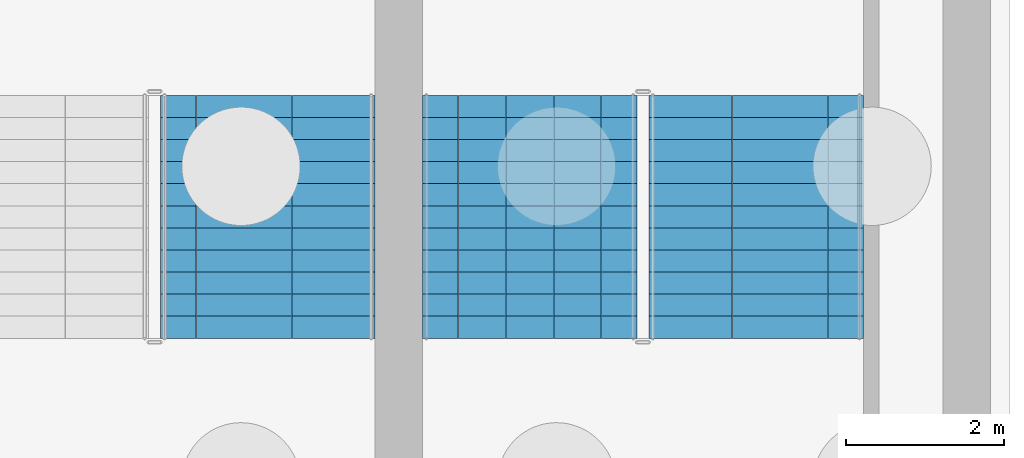
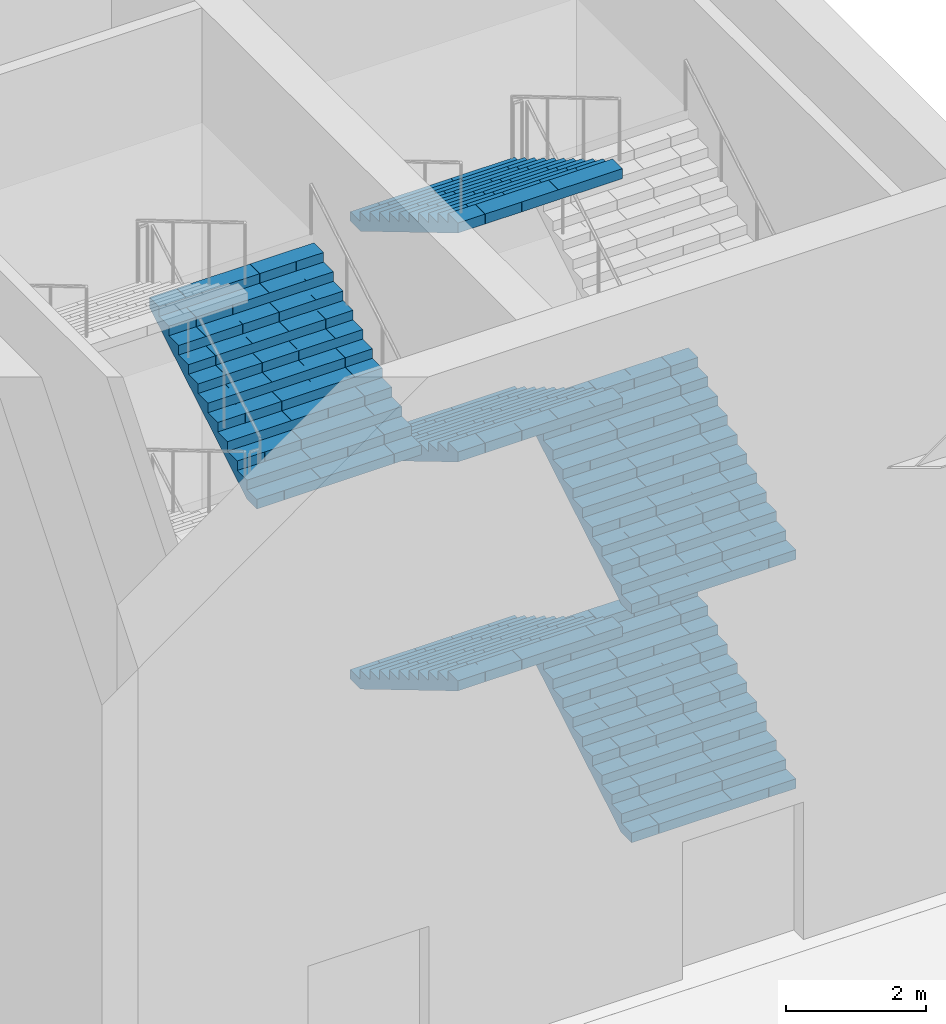
# One storey, part 25 of 34: 6 stair flights, 2 elements without a shape of their own.
"""IFC4 building model written with IfcOpenShell, lengths in metres."""

import ifcopenshell
import ifcopenshell.guid

model = None  # the IFC model being written
_history = None  # IfcOwnerHistory: only IFC2X3 demands one
_inside = {}  # id of a spatial element -> (the spatial element, [elements in it])
_under = {}  # id of a project, library or spatial element -> (it, [spatial elements below it])
_declared = {}  # id of a project -> (the project, [libraries it declares])
_typed = {}  # id of a type object -> (the type object, [elements of that type])
_made_of = {}  # id of a material, layer set ... -> (it, [elements and type objects made of it])


def new_model(schema):
    """Start an empty IFC model of exactly this schema.

    Asked for "IFC4X3", IfcOpenShell would pick the latest addendum, in which some entities
    have other attributes; the version numbers below select the first issue.
    IFC2X3 requires an IfcOwnerHistory on every rooted entity: one is made here for all.
    """
    global model, _history
    if schema == "IFC4X3":
        model = ifcopenshell.file(schema_version=(4, 3, 0, 0))
    else:
        model = ifcopenshell.file(schema=schema)
    _inside.clear()
    _under.clear()
    _declared.clear()
    _typed.clear()
    _made_of.clear()
    _history = None
    if model.schema == "IFC2X3":
        org = make("IfcOrganization", Name="unknown")
        user = make(
            "IfcPersonAndOrganization",
            ThePerson=make("IfcPerson", FamilyName="unknown"),
            TheOrganization=org,
        )
        app = make(
            "IfcApplication",
            ApplicationDeveloper=org,
            Version="unknown",
            ApplicationFullName="unknown",
            ApplicationIdentifier="unknown",
        )
        _history = make(
            "IfcOwnerHistory",
            OwningUser=user,
            OwningApplication=app,
            ChangeAction="ADDED",
            CreationDate=0,
        )
    return model


def make(cls, **values):
    """One entity of the class cls with the attributes given. An attribute that is None is left unset."""
    return model.create_entity(
        cls, **{name: value for name, value in values.items() if value is not None}
    )


def rooted(cls, **values):
    """An entity with a GlobalId (a new one), such as an element, a storey or a relation."""
    return make(cls, GlobalId=ifcopenshell.guid.new(), OwnerHistory=_history, **values)


def si_unit(unit_type, name, prefix=None):
    """IfcSIUnit, for example si_unit("LENGTHUNIT", "METRE", prefix="MILLI")."""
    return make("IfcSIUnit", UnitType=unit_type, Prefix=prefix, Name=name)


def assignment(units):
    """IfcUnitAssignment: the units of a project."""
    return None if units is None else make("IfcUnitAssignment", Units=units)


def point(xyz):
    """IfcCartesianPoint."""
    return None if xyz is None else make("IfcCartesianPoint", Coordinates=xyz)


def direction(xyz):
    """IfcDirection."""
    return None if xyz is None else make("IfcDirection", DirectionRatios=xyz)


def frame(location, z_axis=None, x_axis=None):
    """IfcAxis2Placement3D, a coordinate frame: its origin and axes. An axis left out is left unset."""
    return make(
        "IfcAxis2Placement3D",
        Location=point(location),
        Axis=direction(z_axis),
        RefDirection=direction(x_axis),
    )


def origin():
    """The frame at (0, 0, 0) with its axes left unset."""
    return frame((0.0, 0.0, 0.0))


def place(relative_to, where):
    """IfcLocalPlacement: puts the frame where relative to a parent placement (None: the world)."""
    return make(
        "IfcLocalPlacement", PlacementRelTo=relative_to, RelativePlacement=where
    )


def context(
    kind, dimensions, precision=None, world=None, true_north=None, identifier=None
):
    """IfcGeometricRepresentationContext, for example the 3D "Model" context."""
    return make(
        "IfcGeometricRepresentationContext",
        ContextIdentifier=identifier,
        ContextType=kind,
        CoordinateSpaceDimension=dimensions,
        Precision=precision,
        WorldCoordinateSystem=world,
        TrueNorth=true_north,
    )


def subcontext(parent, identifier, kind, view, scale=None):
    """IfcGeometricRepresentationSubContext, for example "Body" below "Model"."""
    return make(
        "IfcGeometricRepresentationSubContext",
        ContextIdentifier=identifier,
        ContextType=kind,
        ParentContext=parent,
        TargetScale=scale,
        TargetView=view,
    )


def project(units=None, contexts=None):
    """IfcProject with its units and contexts."""
    return rooted(
        "IfcProject",
        Name="project",
        RepresentationContexts=contexts,
        UnitsInContext=assignment(units),
    )


def spatial(cls, under=None, at=None, **own):
    """A site, building, storey or space (cls), placed at a placement, below another one or the project."""
    s = rooted(cls, ObjectPlacement=at, **own)
    if under is not None:
        _under.setdefault(under.id(), (under, []))[1].append(s)
    return s


def polyline(points):
    """IfcPolyline through the points."""
    return make("IfcPolyline", Points=[point(p) for p in points])


def outline(outer, holes=None, kind="AREA"):
    """IfcArbitraryClosedProfileDef: a profile drawn as a closed curve; with holes, ...WithVoids."""
    if holes is None:
        return make("IfcArbitraryClosedProfileDef", ProfileType=kind, OuterCurve=outer)
    return make(
        "IfcArbitraryProfileDefWithVoids",
        ProfileType=kind,
        OuterCurve=outer,
        InnerCurves=holes,
    )


def extrude(swept, where, along, depth):
    """IfcExtrudedAreaSolid: the profile swept, set in the frame where, extruded along a direction by depth."""
    return make(
        "IfcExtrudedAreaSolid",
        SweptArea=swept,
        Position=where,
        ExtrudedDirection=direction(along),
        Depth=depth,
    )


def shape(context_of_items, identifier, shape_type, items):
    """IfcShapeRepresentation: the items that make up one representation, for example the "Body"."""
    return make(
        "IfcShapeRepresentation",
        ContextOfItems=context_of_items,
        RepresentationIdentifier=identifier,
        RepresentationType=shape_type,
        Items=items,
    )


def material(Name=None, Category=None):
    """IfcMaterial."""
    return make("IfcMaterial", Name=Name, Category=Category)


def made_of(thing, what):
    """Note that an element or type object is made of a material, layer set ...; save() writes the relation."""
    if what is not None:
        _made_of.setdefault(what.id(), (what, []))[1].append(thing)
    return thing


def type_object(cls, material=None, **own):
    """A type object (cls), such as IfcWallType, which elements share."""
    return made_of(rooted(cls, **own), material)


def element(
    cls,
    number,
    at=None,
    inside=None,
    cuts=None,
    type_object=None,
    material=None,
    context=None,
    identifier="Body",
    shape_type=None,
    held_by="IfcProductDefinitionShape",
    body=None,
    shapes=None,
    **own,
):
    """One element of the class cls, such as IfcWall. Its Tag is "e" and its number.

    at: its placement. inside: the storey or other place that contains it. cuts: it is an
    opening in that element (IfcRelVoidsElement). A single representation is given by context,
    identifier, shape_type and body (its items); several are given by shapes. held_by: the class
    of the entity that holds the representations. save() writes the other relations.
    """
    e = rooted(cls, Tag="e%d" % number, ObjectPlacement=at, **own)
    if body is not None:
        shapes = [shape(context, identifier, shape_type, body)]
    if shapes is not None:
        e.Representation = make(held_by, Representations=shapes)
    if inside is not None:
        _inside.setdefault(inside.id(), (inside, []))[1].append(e)
    if cuts is not None:
        rooted(
            "IfcRelVoidsElement", RelatingBuildingElement=cuts, RelatedOpeningElement=e
        )
    if type_object is not None:
        _typed.setdefault(type_object.id(), (type_object, []))[1].append(e)
    return made_of(e, material)


def aggregate(whole, parts):
    """IfcRelAggregates: a whole, such as a stair, and the parts it consists of."""
    return rooted("IfcRelAggregates", RelatingObject=whole, RelatedObjects=parts)


def save(model, path):
    """Write the relations noted so far, then the file.

    IfcRelAggregates (storeys below a building ...), IfcRelContainedInSpatialStructure (elements
    in a storey), IfcRelDefinesByType, IfcRelAssociatesMaterial and IfcRelDeclares: one each for
    every whole, place, type object, material and project.
    """
    for whole, parts in _under.values():
        aggregate(whole, parts)
    for where, things in _inside.values():
        rooted(
            "IfcRelContainedInSpatialStructure",
            RelatedElements=things,
            RelatingStructure=where,
        )
    for kind, things in _typed.values():
        rooted("IfcRelDefinesByType", RelatedObjects=things, RelatingType=kind)
    for what, things in _made_of.values():
        rooted("IfcRelAssociatesMaterial", RelatedObjects=things, RelatingMaterial=what)
    for by, libraries in _declared.values():
        rooted("IfcRelDeclares", RelatingContext=by, RelatedDefinitions=libraries)
    model.write(path)


model = new_model("IFC4")

# Units and contexts
model_context = context("Model", 3, precision=1e-05, world=origin(), true_north=direction((0.0, 1.0)))
body_context = subcontext(model_context, "Body", "Model", "MODEL_VIEW")
ifc_project = project(units=[si_unit("LENGTHUNIT", "METRE"), si_unit("AREAUNIT", "SQUARE_METRE"), si_unit("VOLUMEUNIT", "CUBIC_METRE"), si_unit("PLANEANGLEUNIT", "RADIAN"), si_unit("MASSUNIT", "GRAM", prefix="KILO")], contexts=[model_context])

# Site, building, storey
site_placement = place(None, origin())
site = spatial("IfcSite", under=ifc_project, at=site_placement, CompositionType="ELEMENT")
building_placement = place(site_placement, origin())
building = spatial("IfcBuilding", under=site, at=building_placement, Name="Corbelhall Arena Tower", CompositionType="ELEMENT")
storey_placement = place(building_placement, origin())
storey = spatial("IfcBuildingStorey", under=building, at=storey_placement, Name="L00", CompositionType="ELEMENT", Elevation=0.0)

# Stair, stair flight
ifc_material = material(Name="Reinforced concrete C40/50", Category="concrete")
stair_type = type_object("IfcStairType", Name="AR-EXIT-STAIR", PredefinedType="HALF_TURN_STAIR", material=ifc_material)
stair_1_placement = place(storey_placement, origin())
stair_1 = element("IfcStair", 1, at=stair_1_placement, inside=storey, type_object=stair_type, Name="L00 exit stair AS1", PredefinedType="HALF_TURN_STAIR")
stair_flight_type = type_object("IfcStairFlightType", Name="AR-EXIT-FLIGHT", PredefinedType="STRAIGHT", material=ifc_material)
stair_flight_1_placement = place(storey_placement, frame((38.840087890625, 27.320068359375, 8.0), z_axis=(0.0, 0.0, 1.0), x_axis=(0.0, 1.0, 0.0)))
stair_flight_1 = element("IfcStairFlight", 2, at=stair_flight_1_placement, type_object=stair_flight_type, Name="AS1 flight 5", NumberOfRisers=12, NumberOfTreads=11, PredefinedType="STRAIGHT", RiserHeight=0.166666667, TreadLength=0.28, context=body_context, shape_type="SweptSolid", body=[
    extrude(outline(polyline([(0.0, 0.0), (0.0, 0.166748046875), (0.280029296875, 0.166748046875), (0.280029296875, 0.333251953125), (0.56005859375, 0.333251953125), (0.56005859375, 0.5), (0.840087890625, 0.5), (0.840087890625, 0.666748046875), (1.1201171875, 0.666748046875), (1.1201171875, 0.833251953125), (1.39990234375, 0.833251953125), (1.39990234375, 1.0), (1.679931640625, 1.0), (1.679931640625, 1.166748046875), (1.9599609375, 1.166748046875), (1.9599609375, 1.333251953125), (2.239990234375, 1.333251953125), (2.239990234375, 1.5), (2.52001953125, 1.5), (2.52001953125, 1.666748046875), (2.800048828125, 1.666748046875), (2.800048828125, 1.833251953125), (3.080078125, 1.833251953125), (3.080078125, 2.0), (3.080078125, 1.658935546875), (0.29296875, 0.0), (0.0, 0.0)])), frame((0.0, 1.35986328125, 0.0), z_axis=(0.0, -1.0, 0.0), x_axis=(1.0, 0.0, 0.0)), (0.0, 0.0, 1.0), 0.449951171875),
    extrude(outline(polyline([(0.0, 0.0), (0.0, 0.166748046875), (0.280029296875, 0.166748046875), (0.280029296875, 0.333251953125), (0.56005859375, 0.333251953125), (0.56005859375, 0.5), (0.840087890625, 0.5), (0.840087890625, 0.666748046875), (1.1201171875, 0.666748046875), (1.1201171875, 0.833251953125), (1.39990234375, 0.833251953125), (1.39990234375, 1.0), (1.679931640625, 1.0), (1.679931640625, 1.166748046875), (1.9599609375, 1.166748046875), (1.9599609375, 1.333251953125), (2.239990234375, 1.333251953125), (2.239990234375, 1.5), (2.52001953125, 1.5), (2.52001953125, 1.666748046875), (2.800048828125, 1.666748046875), (2.800048828125, 1.833251953125), (3.080078125, 1.833251953125), (3.080078125, 2.0), (3.080078125, 1.658935546875), (0.29296875, 0.0), (0.0, 0.0)])), frame((0.0, 0.906005859375, 0.0), z_axis=(0.0, -1.0, 0.0), x_axis=(1.0, 0.0, 0.0)), (0.0, 0.0, 1.0), 0.601318359375),
    extrude(outline(polyline([(0.0, 0.0), (0.0, 0.166748046875), (0.280029296875, 0.166748046875), (0.280029296875, 0.333251953125), (0.56005859375, 0.333251953125), (0.56005859375, 0.5), (0.840087890625, 0.5), (0.840087890625, 0.666748046875), (1.1201171875, 0.666748046875), (1.1201171875, 0.833251953125), (1.39990234375, 0.833251953125), (1.39990234375, 1.0), (1.679931640625, 1.0), (1.679931640625, 1.166748046875), (1.9599609375, 1.166748046875), (1.9599609375, 1.333251953125), (2.239990234375, 1.333251953125), (2.239990234375, 1.5), (2.52001953125, 1.5), (2.52001953125, 1.666748046875), (2.800048828125, 1.666748046875), (2.800048828125, 1.833251953125), (3.080078125, 1.833251953125), (3.080078125, 2.0), (3.080078125, 1.658935546875), (0.29296875, 0.0), (0.0, 0.0)])), frame((0.0, 0.30078125, 0.0), z_axis=(0.0, -1.0, 0.0), x_axis=(1.0, 0.0, 0.0)), (0.0, 0.0, 1.0), 0.601318359375),
    extrude(outline(polyline([(0.0, 0.0), (0.0, 0.166748046875), (0.280029296875, 0.166748046875), (0.280029296875, 0.333251953125), (0.56005859375, 0.333251953125), (0.56005859375, 0.5), (0.840087890625, 0.5), (0.840087890625, 0.666748046875), (1.1201171875, 0.666748046875), (1.1201171875, 0.833251953125), (1.39990234375, 0.833251953125), (1.39990234375, 1.0), (1.679931640625, 1.0), (1.679931640625, 1.166748046875), (1.9599609375, 1.166748046875), (1.9599609375, 1.333251953125), (2.239990234375, 1.333251953125), (2.239990234375, 1.5), (2.52001953125, 1.5), (2.52001953125, 1.666748046875), (2.800048828125, 1.666748046875), (2.800048828125, 1.833251953125), (3.080078125, 1.833251953125), (3.080078125, 2.0), (3.080078125, 1.658935546875), (0.29296875, 0.0), (0.0, 0.0)])), frame((0.0, -0.3046875, 0.0), z_axis=(0.0, -1.0, 0.0), x_axis=(1.0, 0.0, 0.0)), (0.0, 0.0, 1.0), 0.601318359375),
    extrude(outline(polyline([(0.0, 0.0), (0.0, 0.166748046875), (0.280029296875, 0.166748046875), (0.280029296875, 0.333251953125), (0.56005859375, 0.333251953125), (0.56005859375, 0.5), (0.840087890625, 0.5), (0.840087890625, 0.666748046875), (1.1201171875, 0.666748046875), (1.1201171875, 0.833251953125), (1.39990234375, 0.833251953125), (1.39990234375, 1.0), (1.679931640625, 1.0), (1.679931640625, 1.166748046875), (1.9599609375, 1.166748046875), (1.9599609375, 1.333251953125), (2.239990234375, 1.333251953125), (2.239990234375, 1.5), (2.52001953125, 1.5), (2.52001953125, 1.666748046875), (2.800048828125, 1.666748046875), (2.800048828125, 1.833251953125), (3.080078125, 1.833251953125), (3.080078125, 2.0), (3.080078125, 1.658935546875), (0.29296875, 0.0), (0.0, 0.0)])), frame((0.0, -0.909912109375, 0.0), z_axis=(0.0, -1.0, 0.0), x_axis=(1.0, 0.0, 0.0)), (0.0, 0.0, 1.0), 0.449951171875),
])
aggregate(stair_1, [stair_flight_1])

# Stair, stair flights
stair_2_placement = place(storey_placement, origin())
stair_2 = element("IfcStair", 3, at=stair_2_placement, inside=storey, type_object=stair_type, Name="L00 exit stair AS2", PredefinedType="HALF_TURN_STAIR")
stair_flight_2_placement = place(storey_placement, frame((45.030029296875, 27.320068359375, 0.0), z_axis=(0.0, 0.0, 1.0), x_axis=(0.0, 1.0, 0.0)))
stair_flight_2 = element("IfcStairFlight", 4, at=stair_flight_2_placement, type_object=stair_flight_type, Name="AS2 flight 1", NumberOfRisers=12, NumberOfTreads=11, PredefinedType="STRAIGHT", RiserHeight=0.166666667, TreadLength=0.28, context=body_context, shape_type="SweptSolid", body=[
    extrude(outline(polyline([(0.0, 0.0), (0.0, 0.166748046875), (0.280029296875, 0.166748046875), (0.280029296875, 0.333251953125), (0.56005859375, 0.333251953125), (0.56005859375, 0.5), (0.840087890625, 0.5), (0.840087890625, 0.666748046875), (1.1201171875, 0.666748046875), (1.1201171875, 0.833251953125), (1.39990234375, 0.833251953125), (1.39990234375, 1.0), (1.679931640625, 1.0), (1.679931640625, 1.166748046875), (1.9599609375, 1.166748046875), (1.9599609375, 1.333251953125), (2.239990234375, 1.333251953125), (2.239990234375, 1.5), (2.52001953125, 1.5), (2.52001953125, 1.666748046875), (2.800048828125, 1.666748046875), (2.800048828125, 1.833251953125), (3.080078125, 1.833251953125), (3.080078125, 2.0), (3.080078125, 1.658935546875), (0.29296875, 0.0), (0.0, 0.0)])), frame((0.0, 1.35986328125, 0.0), z_axis=(0.0, -1.0, 0.0), x_axis=(1.0, 0.0, 0.0)), (0.0, 0.0, 1.0), 0.449951171875),
    extrude(outline(polyline([(0.0, 0.0), (0.0, 0.166748046875), (0.280029296875, 0.166748046875), (0.280029296875, 0.333251953125), (0.56005859375, 0.333251953125), (0.56005859375, 0.5), (0.840087890625, 0.5), (0.840087890625, 0.666748046875), (1.1201171875, 0.666748046875), (1.1201171875, 0.833251953125), (1.39990234375, 0.833251953125), (1.39990234375, 1.0), (1.679931640625, 1.0), (1.679931640625, 1.166748046875), (1.9599609375, 1.166748046875), (1.9599609375, 1.333251953125), (2.239990234375, 1.333251953125), (2.239990234375, 1.5), (2.52001953125, 1.5), (2.52001953125, 1.666748046875), (2.800048828125, 1.666748046875), (2.800048828125, 1.833251953125), (3.080078125, 1.833251953125), (3.080078125, 2.0), (3.080078125, 1.658935546875), (0.29296875, 0.0), (0.0, 0.0)])), frame((0.0, 0.906005859375, 0.0), z_axis=(0.0, -1.0, 0.0), x_axis=(1.0, 0.0, 0.0)), (0.0, 0.0, 1.0), 0.601318359375),
    extrude(outline(polyline([(0.0, 0.0), (0.0, 0.166748046875), (0.280029296875, 0.166748046875), (0.280029296875, 0.333251953125), (0.56005859375, 0.333251953125), (0.56005859375, 0.5), (0.840087890625, 0.5), (0.840087890625, 0.666748046875), (1.1201171875, 0.666748046875), (1.1201171875, 0.833251953125), (1.39990234375, 0.833251953125), (1.39990234375, 1.0), (1.679931640625, 1.0), (1.679931640625, 1.166748046875), (1.9599609375, 1.166748046875), (1.9599609375, 1.333251953125), (2.239990234375, 1.333251953125), (2.239990234375, 1.5), (2.52001953125, 1.5), (2.52001953125, 1.666748046875), (2.800048828125, 1.666748046875), (2.800048828125, 1.833251953125), (3.080078125, 1.833251953125), (3.080078125, 2.0), (3.080078125, 1.658935546875), (0.29296875, 0.0), (0.0, 0.0)])), frame((0.0, 0.30078125, 0.0), z_axis=(0.0, -1.0, 0.0), x_axis=(1.0, 0.0, 0.0)), (0.0, 0.0, 1.0), 0.601318359375),
    extrude(outline(polyline([(0.0, 0.0), (0.0, 0.166748046875), (0.280029296875, 0.166748046875), (0.280029296875, 0.333251953125), (0.56005859375, 0.333251953125), (0.56005859375, 0.5), (0.840087890625, 0.5), (0.840087890625, 0.666748046875), (1.1201171875, 0.666748046875), (1.1201171875, 0.833251953125), (1.39990234375, 0.833251953125), (1.39990234375, 1.0), (1.679931640625, 1.0), (1.679931640625, 1.166748046875), (1.9599609375, 1.166748046875), (1.9599609375, 1.333251953125), (2.239990234375, 1.333251953125), (2.239990234375, 1.5), (2.52001953125, 1.5), (2.52001953125, 1.666748046875), (2.800048828125, 1.666748046875), (2.800048828125, 1.833251953125), (3.080078125, 1.833251953125), (3.080078125, 2.0), (3.080078125, 1.658935546875), (0.29296875, 0.0), (0.0, 0.0)])), frame((0.0, -0.3046875, 0.0), z_axis=(0.0, -1.0, 0.0), x_axis=(1.0, 0.0, 0.0)), (0.0, 0.0, 1.0), 0.601318359375),
    extrude(outline(polyline([(0.0, 0.0), (0.0, 0.166748046875), (0.280029296875, 0.166748046875), (0.280029296875, 0.333251953125), (0.56005859375, 0.333251953125), (0.56005859375, 0.5), (0.840087890625, 0.5), (0.840087890625, 0.666748046875), (1.1201171875, 0.666748046875), (1.1201171875, 0.833251953125), (1.39990234375, 0.833251953125), (1.39990234375, 1.0), (1.679931640625, 1.0), (1.679931640625, 1.166748046875), (1.9599609375, 1.166748046875), (1.9599609375, 1.333251953125), (2.239990234375, 1.333251953125), (2.239990234375, 1.5), (2.52001953125, 1.5), (2.52001953125, 1.666748046875), (2.800048828125, 1.666748046875), (2.800048828125, 1.833251953125), (3.080078125, 1.833251953125), (3.080078125, 2.0), (3.080078125, 1.658935546875), (0.29296875, 0.0), (0.0, 0.0)])), frame((0.0, -0.909912109375, 0.0), z_axis=(0.0, -1.0, 0.0), x_axis=(1.0, 0.0, 0.0)), (0.0, 0.0, 1.0), 0.449951171875),
])
stair_flight_3_placement = place(storey_placement, frame((42.159912109375, 30.39990234375, 2.0), z_axis=(0.0, 0.0, 1.0), x_axis=(0.0, -1.0, 0.0)))
stair_flight_3 = element("IfcStairFlight", 5, at=stair_flight_3_placement, type_object=stair_flight_type, Name="AS2 flight 2", NumberOfRisers=12, NumberOfTreads=11, PredefinedType="STRAIGHT", RiserHeight=0.166666667, TreadLength=0.28, context=body_context, shape_type="SweptSolid", body=[
    extrude(outline(polyline([(0.0, 0.0), (0.0, 0.166748046875), (0.280029296875, 0.166748046875), (0.280029296875, 0.333251953125), (0.56005859375, 0.333251953125), (0.56005859375, 0.5), (0.840087890625, 0.5), (0.840087890625, 0.666748046875), (1.1201171875, 0.666748046875), (1.1201171875, 0.833251953125), (1.39990234375, 0.833251953125), (1.39990234375, 1.0), (1.679931640625, 1.0), (1.679931640625, 1.166748046875), (1.9599609375, 1.166748046875), (1.9599609375, 1.333251953125), (2.239990234375, 1.333251953125), (2.239990234375, 1.5), (2.52001953125, 1.5), (2.52001953125, 1.666748046875), (2.800048828125, 1.666748046875), (2.800048828125, 1.833251953125), (3.080078125, 1.833251953125), (3.080078125, 2.0), (3.080078125, 1.658935546875), (0.29296875, 0.0), (0.0, 0.0)])), frame((0.0, 1.35986328125, 0.0), z_axis=(0.0, -1.0, 0.0), x_axis=(1.0, 0.0, 0.0)), (0.0, 0.0, 1.0), 0.449951171875),
    extrude(outline(polyline([(0.0, 0.0), (0.0, 0.166748046875), (0.280029296875, 0.166748046875), (0.280029296875, 0.333251953125), (0.56005859375, 0.333251953125), (0.56005859375, 0.5), (0.840087890625, 0.5), (0.840087890625, 0.666748046875), (1.1201171875, 0.666748046875), (1.1201171875, 0.833251953125), (1.39990234375, 0.833251953125), (1.39990234375, 1.0), (1.679931640625, 1.0), (1.679931640625, 1.166748046875), (1.9599609375, 1.166748046875), (1.9599609375, 1.333251953125), (2.239990234375, 1.333251953125), (2.239990234375, 1.5), (2.52001953125, 1.5), (2.52001953125, 1.666748046875), (2.800048828125, 1.666748046875), (2.800048828125, 1.833251953125), (3.080078125, 1.833251953125), (3.080078125, 2.0), (3.080078125, 1.658935546875), (0.29296875, 0.0), (0.0, 0.0)])), frame((0.0, 0.906005859375, 0.0), z_axis=(0.0, -1.0, 0.0), x_axis=(1.0, 0.0, 0.0)), (0.0, 0.0, 1.0), 0.601318359375),
    extrude(outline(polyline([(0.0, 0.0), (0.0, 0.166748046875), (0.280029296875, 0.166748046875), (0.280029296875, 0.333251953125), (0.56005859375, 0.333251953125), (0.56005859375, 0.5), (0.840087890625, 0.5), (0.840087890625, 0.666748046875), (1.1201171875, 0.666748046875), (1.1201171875, 0.833251953125), (1.39990234375, 0.833251953125), (1.39990234375, 1.0), (1.679931640625, 1.0), (1.679931640625, 1.166748046875), (1.9599609375, 1.166748046875), (1.9599609375, 1.333251953125), (2.239990234375, 1.333251953125), (2.239990234375, 1.5), (2.52001953125, 1.5), (2.52001953125, 1.666748046875), (2.800048828125, 1.666748046875), (2.800048828125, 1.833251953125), (3.080078125, 1.833251953125), (3.080078125, 2.0), (3.080078125, 1.658935546875), (0.29296875, 0.0), (0.0, 0.0)])), frame((0.0, 0.30078125, 0.0), z_axis=(0.0, -1.0, 0.0), x_axis=(1.0, 0.0, 0.0)), (0.0, 0.0, 1.0), 0.601318359375),
    extrude(outline(polyline([(0.0, 0.0), (0.0, 0.166748046875), (0.280029296875, 0.166748046875), (0.280029296875, 0.333251953125), (0.56005859375, 0.333251953125), (0.56005859375, 0.5), (0.840087890625, 0.5), (0.840087890625, 0.666748046875), (1.1201171875, 0.666748046875), (1.1201171875, 0.833251953125), (1.39990234375, 0.833251953125), (1.39990234375, 1.0), (1.679931640625, 1.0), (1.679931640625, 1.166748046875), (1.9599609375, 1.166748046875), (1.9599609375, 1.333251953125), (2.239990234375, 1.333251953125), (2.239990234375, 1.5), (2.52001953125, 1.5), (2.52001953125, 1.666748046875), (2.800048828125, 1.666748046875), (2.800048828125, 1.833251953125), (3.080078125, 1.833251953125), (3.080078125, 2.0), (3.080078125, 1.658935546875), (0.29296875, 0.0), (0.0, 0.0)])), frame((0.0, -0.3046875, 0.0), z_axis=(0.0, -1.0, 0.0), x_axis=(1.0, 0.0, 0.0)), (0.0, 0.0, 1.0), 0.601318359375),
    extrude(outline(polyline([(0.0, 0.0), (0.0, 0.166748046875), (0.280029296875, 0.166748046875), (0.280029296875, 0.333251953125), (0.56005859375, 0.333251953125), (0.56005859375, 0.5), (0.840087890625, 0.5), (0.840087890625, 0.666748046875), (1.1201171875, 0.666748046875), (1.1201171875, 0.833251953125), (1.39990234375, 0.833251953125), (1.39990234375, 1.0), (1.679931640625, 1.0), (1.679931640625, 1.166748046875), (1.9599609375, 1.166748046875), (1.9599609375, 1.333251953125), (2.239990234375, 1.333251953125), (2.239990234375, 1.5), (2.52001953125, 1.5), (2.52001953125, 1.666748046875), (2.800048828125, 1.666748046875), (2.800048828125, 1.833251953125), (3.080078125, 1.833251953125), (3.080078125, 2.0), (3.080078125, 1.658935546875), (0.29296875, 0.0), (0.0, 0.0)])), frame((0.0, -0.909912109375, 0.0), z_axis=(0.0, -1.0, 0.0), x_axis=(1.0, 0.0, 0.0)), (0.0, 0.0, 1.0), 0.449951171875),
])
stair_flight_4_placement = place(storey_placement, frame((45.030029296875, 27.320068359375, 4.0), z_axis=(0.0, 0.0, 1.0), x_axis=(0.0, 1.0, 0.0)))
stair_flight_4 = element("IfcStairFlight", 6, at=stair_flight_4_placement, type_object=stair_flight_type, Name="AS2 flight 3", NumberOfRisers=12, NumberOfTreads=11, PredefinedType="STRAIGHT", RiserHeight=0.166666667, TreadLength=0.28, context=body_context, shape_type="SweptSolid", body=[
    extrude(outline(polyline([(0.0, 0.0), (0.0, 0.166748046875), (0.280029296875, 0.166748046875), (0.280029296875, 0.333251953125), (0.56005859375, 0.333251953125), (0.56005859375, 0.5), (0.840087890625, 0.5), (0.840087890625, 0.666748046875), (1.1201171875, 0.666748046875), (1.1201171875, 0.833251953125), (1.39990234375, 0.833251953125), (1.39990234375, 1.0), (1.679931640625, 1.0), (1.679931640625, 1.166748046875), (1.9599609375, 1.166748046875), (1.9599609375, 1.333251953125), (2.239990234375, 1.333251953125), (2.239990234375, 1.5), (2.52001953125, 1.5), (2.52001953125, 1.666748046875), (2.800048828125, 1.666748046875), (2.800048828125, 1.833251953125), (3.080078125, 1.833251953125), (3.080078125, 2.0), (3.080078125, 1.658935546875), (0.29296875, 0.0), (0.0, 0.0)])), frame((0.0, 1.35986328125, 0.0), z_axis=(0.0, -1.0, 0.0), x_axis=(1.0, 0.0, 0.0)), (0.0, 0.0, 1.0), 0.449951171875),
    extrude(outline(polyline([(0.0, 0.0), (0.0, 0.166748046875), (0.280029296875, 0.166748046875), (0.280029296875, 0.333251953125), (0.56005859375, 0.333251953125), (0.56005859375, 0.5), (0.840087890625, 0.5), (0.840087890625, 0.666748046875), (1.1201171875, 0.666748046875), (1.1201171875, 0.833251953125), (1.39990234375, 0.833251953125), (1.39990234375, 1.0), (1.679931640625, 1.0), (1.679931640625, 1.166748046875), (1.9599609375, 1.166748046875), (1.9599609375, 1.333251953125), (2.239990234375, 1.333251953125), (2.239990234375, 1.5), (2.52001953125, 1.5), (2.52001953125, 1.666748046875), (2.800048828125, 1.666748046875), (2.800048828125, 1.833251953125), (3.080078125, 1.833251953125), (3.080078125, 2.0), (3.080078125, 1.658935546875), (0.29296875, 0.0), (0.0, 0.0)])), frame((0.0, 0.906005859375, 0.0), z_axis=(0.0, -1.0, 0.0), x_axis=(1.0, 0.0, 0.0)), (0.0, 0.0, 1.0), 0.601318359375),
    extrude(outline(polyline([(0.0, 0.0), (0.0, 0.166748046875), (0.280029296875, 0.166748046875), (0.280029296875, 0.333251953125), (0.56005859375, 0.333251953125), (0.56005859375, 0.5), (0.840087890625, 0.5), (0.840087890625, 0.666748046875), (1.1201171875, 0.666748046875), (1.1201171875, 0.833251953125), (1.39990234375, 0.833251953125), (1.39990234375, 1.0), (1.679931640625, 1.0), (1.679931640625, 1.166748046875), (1.9599609375, 1.166748046875), (1.9599609375, 1.333251953125), (2.239990234375, 1.333251953125), (2.239990234375, 1.5), (2.52001953125, 1.5), (2.52001953125, 1.666748046875), (2.800048828125, 1.666748046875), (2.800048828125, 1.833251953125), (3.080078125, 1.833251953125), (3.080078125, 2.0), (3.080078125, 1.658935546875), (0.29296875, 0.0), (0.0, 0.0)])), frame((0.0, 0.30078125, 0.0), z_axis=(0.0, -1.0, 0.0), x_axis=(1.0, 0.0, 0.0)), (0.0, 0.0, 1.0), 0.601318359375),
    extrude(outline(polyline([(0.0, 0.0), (0.0, 0.166748046875), (0.280029296875, 0.166748046875), (0.280029296875, 0.333251953125), (0.56005859375, 0.333251953125), (0.56005859375, 0.5), (0.840087890625, 0.5), (0.840087890625, 0.666748046875), (1.1201171875, 0.666748046875), (1.1201171875, 0.833251953125), (1.39990234375, 0.833251953125), (1.39990234375, 1.0), (1.679931640625, 1.0), (1.679931640625, 1.166748046875), (1.9599609375, 1.166748046875), (1.9599609375, 1.333251953125), (2.239990234375, 1.333251953125), (2.239990234375, 1.5), (2.52001953125, 1.5), (2.52001953125, 1.666748046875), (2.800048828125, 1.666748046875), (2.800048828125, 1.833251953125), (3.080078125, 1.833251953125), (3.080078125, 2.0), (3.080078125, 1.658935546875), (0.29296875, 0.0), (0.0, 0.0)])), frame((0.0, -0.3046875, 0.0), z_axis=(0.0, -1.0, 0.0), x_axis=(1.0, 0.0, 0.0)), (0.0, 0.0, 1.0), 0.601318359375),
    extrude(outline(polyline([(0.0, 0.0), (0.0, 0.166748046875), (0.280029296875, 0.166748046875), (0.280029296875, 0.333251953125), (0.56005859375, 0.333251953125), (0.56005859375, 0.5), (0.840087890625, 0.5), (0.840087890625, 0.666748046875), (1.1201171875, 0.666748046875), (1.1201171875, 0.833251953125), (1.39990234375, 0.833251953125), (1.39990234375, 1.0), (1.679931640625, 1.0), (1.679931640625, 1.166748046875), (1.9599609375, 1.166748046875), (1.9599609375, 1.333251953125), (2.239990234375, 1.333251953125), (2.239990234375, 1.5), (2.52001953125, 1.5), (2.52001953125, 1.666748046875), (2.800048828125, 1.666748046875), (2.800048828125, 1.833251953125), (3.080078125, 1.833251953125), (3.080078125, 2.0), (3.080078125, 1.658935546875), (0.29296875, 0.0), (0.0, 0.0)])), frame((0.0, -0.909912109375, 0.0), z_axis=(0.0, -1.0, 0.0), x_axis=(1.0, 0.0, 0.0)), (0.0, 0.0, 1.0), 0.449951171875),
])
stair_flight_5_placement = place(storey_placement, frame((42.159912109375, 30.39990234375, 6.0), z_axis=(0.0, 0.0, 1.0), x_axis=(0.0, -1.0, 0.0)))
stair_flight_5 = element("IfcStairFlight", 7, at=stair_flight_5_placement, type_object=stair_flight_type, Name="AS2 flight 4", NumberOfRisers=12, NumberOfTreads=11, PredefinedType="STRAIGHT", RiserHeight=0.166666667, TreadLength=0.28, context=body_context, shape_type="SweptSolid", body=[
    extrude(outline(polyline([(0.0, 0.0), (0.0, 0.166748046875), (0.280029296875, 0.166748046875), (0.280029296875, 0.333251953125), (0.56005859375, 0.333251953125), (0.56005859375, 0.5), (0.840087890625, 0.5), (0.840087890625, 0.666748046875), (1.1201171875, 0.666748046875), (1.1201171875, 0.833251953125), (1.39990234375, 0.833251953125), (1.39990234375, 1.0), (1.679931640625, 1.0), (1.679931640625, 1.166748046875), (1.9599609375, 1.166748046875), (1.9599609375, 1.333251953125), (2.239990234375, 1.333251953125), (2.239990234375, 1.5), (2.52001953125, 1.5), (2.52001953125, 1.666748046875), (2.800048828125, 1.666748046875), (2.800048828125, 1.833251953125), (3.080078125, 1.833251953125), (3.080078125, 2.0), (3.080078125, 1.658935546875), (0.29296875, 0.0), (0.0, 0.0)])), frame((0.0, 1.35986328125, 0.0), z_axis=(0.0, -1.0, 0.0), x_axis=(1.0, 0.0, 0.0)), (0.0, 0.0, 1.0), 0.449951171875),
    extrude(outline(polyline([(0.0, 0.0), (0.0, 0.166748046875), (0.280029296875, 0.166748046875), (0.280029296875, 0.333251953125), (0.56005859375, 0.333251953125), (0.56005859375, 0.5), (0.840087890625, 0.5), (0.840087890625, 0.666748046875), (1.1201171875, 0.666748046875), (1.1201171875, 0.833251953125), (1.39990234375, 0.833251953125), (1.39990234375, 1.0), (1.679931640625, 1.0), (1.679931640625, 1.166748046875), (1.9599609375, 1.166748046875), (1.9599609375, 1.333251953125), (2.239990234375, 1.333251953125), (2.239990234375, 1.5), (2.52001953125, 1.5), (2.52001953125, 1.666748046875), (2.800048828125, 1.666748046875), (2.800048828125, 1.833251953125), (3.080078125, 1.833251953125), (3.080078125, 2.0), (3.080078125, 1.658935546875), (0.29296875, 0.0), (0.0, 0.0)])), frame((0.0, 0.906005859375, 0.0), z_axis=(0.0, -1.0, 0.0), x_axis=(1.0, 0.0, 0.0)), (0.0, 0.0, 1.0), 0.601318359375),
    extrude(outline(polyline([(0.0, 0.0), (0.0, 0.166748046875), (0.280029296875, 0.166748046875), (0.280029296875, 0.333251953125), (0.56005859375, 0.333251953125), (0.56005859375, 0.5), (0.840087890625, 0.5), (0.840087890625, 0.666748046875), (1.1201171875, 0.666748046875), (1.1201171875, 0.833251953125), (1.39990234375, 0.833251953125), (1.39990234375, 1.0), (1.679931640625, 1.0), (1.679931640625, 1.166748046875), (1.9599609375, 1.166748046875), (1.9599609375, 1.333251953125), (2.239990234375, 1.333251953125), (2.239990234375, 1.5), (2.52001953125, 1.5), (2.52001953125, 1.666748046875), (2.800048828125, 1.666748046875), (2.800048828125, 1.833251953125), (3.080078125, 1.833251953125), (3.080078125, 2.0), (3.080078125, 1.658935546875), (0.29296875, 0.0), (0.0, 0.0)])), frame((0.0, 0.30078125, 0.0), z_axis=(0.0, -1.0, 0.0), x_axis=(1.0, 0.0, 0.0)), (0.0, 0.0, 1.0), 0.601318359375),
    extrude(outline(polyline([(0.0, 0.0), (0.0, 0.166748046875), (0.280029296875, 0.166748046875), (0.280029296875, 0.333251953125), (0.56005859375, 0.333251953125), (0.56005859375, 0.5), (0.840087890625, 0.5), (0.840087890625, 0.666748046875), (1.1201171875, 0.666748046875), (1.1201171875, 0.833251953125), (1.39990234375, 0.833251953125), (1.39990234375, 1.0), (1.679931640625, 1.0), (1.679931640625, 1.166748046875), (1.9599609375, 1.166748046875), (1.9599609375, 1.333251953125), (2.239990234375, 1.333251953125), (2.239990234375, 1.5), (2.52001953125, 1.5), (2.52001953125, 1.666748046875), (2.800048828125, 1.666748046875), (2.800048828125, 1.833251953125), (3.080078125, 1.833251953125), (3.080078125, 2.0), (3.080078125, 1.658935546875), (0.29296875, 0.0), (0.0, 0.0)])), frame((0.0, -0.3046875, 0.0), z_axis=(0.0, -1.0, 0.0), x_axis=(1.0, 0.0, 0.0)), (0.0, 0.0, 1.0), 0.601318359375),
    extrude(outline(polyline([(0.0, 0.0), (0.0, 0.166748046875), (0.280029296875, 0.166748046875), (0.280029296875, 0.333251953125), (0.56005859375, 0.333251953125), (0.56005859375, 0.5), (0.840087890625, 0.5), (0.840087890625, 0.666748046875), (1.1201171875, 0.666748046875), (1.1201171875, 0.833251953125), (1.39990234375, 0.833251953125), (1.39990234375, 1.0), (1.679931640625, 1.0), (1.679931640625, 1.166748046875), (1.9599609375, 1.166748046875), (1.9599609375, 1.333251953125), (2.239990234375, 1.333251953125), (2.239990234375, 1.5), (2.52001953125, 1.5), (2.52001953125, 1.666748046875), (2.800048828125, 1.666748046875), (2.800048828125, 1.833251953125), (3.080078125, 1.833251953125), (3.080078125, 2.0), (3.080078125, 1.658935546875), (0.29296875, 0.0), (0.0, 0.0)])), frame((0.0, -0.909912109375, 0.0), z_axis=(0.0, -1.0, 0.0), x_axis=(1.0, 0.0, 0.0)), (0.0, 0.0, 1.0), 0.449951171875),
])
stair_flight_6_placement = place(storey_placement, frame((42.159912109375, 30.39990234375, 10.0), z_axis=(0.0, 0.0, 1.0), x_axis=(0.0, -1.0, 0.0)))
stair_flight_6 = element("IfcStairFlight", 8, at=stair_flight_6_placement, type_object=stair_flight_type, Name="AS2 flight 6", NumberOfRisers=12, NumberOfTreads=11, PredefinedType="STRAIGHT", RiserHeight=0.166666667, TreadLength=0.28, context=body_context, shape_type="SweptSolid", body=[
    extrude(outline(polyline([(0.0, 0.0), (0.0, 0.166748046875), (0.280029296875, 0.166748046875), (0.280029296875, 0.333251953125), (0.56005859375, 0.333251953125), (0.56005859375, 0.5), (0.840087890625, 0.5), (0.840087890625, 0.666748046875), (1.1201171875, 0.666748046875), (1.1201171875, 0.833251953125), (1.39990234375, 0.833251953125), (1.39990234375, 1.0), (1.679931640625, 1.0), (1.679931640625, 1.166748046875), (1.9599609375, 1.166748046875), (1.9599609375, 1.333251953125), (2.239990234375, 1.333251953125), (2.239990234375, 1.5), (2.52001953125, 1.5), (2.52001953125, 1.666748046875), (2.800048828125, 1.666748046875), (2.800048828125, 1.833251953125), (3.080078125, 1.833251953125), (3.080078125, 2.0), (3.080078125, 1.658935546875), (0.29296875, 0.0), (0.0, 0.0)])), frame((0.0, 1.35986328125, 0.0), z_axis=(0.0, -1.0, 0.0), x_axis=(1.0, 0.0, 0.0)), (0.0, 0.0, 1.0), 0.449951171875),
    extrude(outline(polyline([(0.0, 0.0), (0.0, 0.166748046875), (0.280029296875, 0.166748046875), (0.280029296875, 0.333251953125), (0.56005859375, 0.333251953125), (0.56005859375, 0.5), (0.840087890625, 0.5), (0.840087890625, 0.666748046875), (1.1201171875, 0.666748046875), (1.1201171875, 0.833251953125), (1.39990234375, 0.833251953125), (1.39990234375, 1.0), (1.679931640625, 1.0), (1.679931640625, 1.166748046875), (1.9599609375, 1.166748046875), (1.9599609375, 1.333251953125), (2.239990234375, 1.333251953125), (2.239990234375, 1.5), (2.52001953125, 1.5), (2.52001953125, 1.666748046875), (2.800048828125, 1.666748046875), (2.800048828125, 1.833251953125), (3.080078125, 1.833251953125), (3.080078125, 2.0), (3.080078125, 1.658935546875), (0.29296875, 0.0), (0.0, 0.0)])), frame((0.0, 0.906005859375, 0.0), z_axis=(0.0, -1.0, 0.0), x_axis=(1.0, 0.0, 0.0)), (0.0, 0.0, 1.0), 0.601318359375),
    extrude(outline(polyline([(0.0, 0.0), (0.0, 0.166748046875), (0.280029296875, 0.166748046875), (0.280029296875, 0.333251953125), (0.56005859375, 0.333251953125), (0.56005859375, 0.5), (0.840087890625, 0.5), (0.840087890625, 0.666748046875), (1.1201171875, 0.666748046875), (1.1201171875, 0.833251953125), (1.39990234375, 0.833251953125), (1.39990234375, 1.0), (1.679931640625, 1.0), (1.679931640625, 1.166748046875), (1.9599609375, 1.166748046875), (1.9599609375, 1.333251953125), (2.239990234375, 1.333251953125), (2.239990234375, 1.5), (2.52001953125, 1.5), (2.52001953125, 1.666748046875), (2.800048828125, 1.666748046875), (2.800048828125, 1.833251953125), (3.080078125, 1.833251953125), (3.080078125, 2.0), (3.080078125, 1.658935546875), (0.29296875, 0.0), (0.0, 0.0)])), frame((0.0, 0.30078125, 0.0), z_axis=(0.0, -1.0, 0.0), x_axis=(1.0, 0.0, 0.0)), (0.0, 0.0, 1.0), 0.601318359375),
    extrude(outline(polyline([(0.0, 0.0), (0.0, 0.166748046875), (0.280029296875, 0.166748046875), (0.280029296875, 0.333251953125), (0.56005859375, 0.333251953125), (0.56005859375, 0.5), (0.840087890625, 0.5), (0.840087890625, 0.666748046875), (1.1201171875, 0.666748046875), (1.1201171875, 0.833251953125), (1.39990234375, 0.833251953125), (1.39990234375, 1.0), (1.679931640625, 1.0), (1.679931640625, 1.166748046875), (1.9599609375, 1.166748046875), (1.9599609375, 1.333251953125), (2.239990234375, 1.333251953125), (2.239990234375, 1.5), (2.52001953125, 1.5), (2.52001953125, 1.666748046875), (2.800048828125, 1.666748046875), (2.800048828125, 1.833251953125), (3.080078125, 1.833251953125), (3.080078125, 2.0), (3.080078125, 1.658935546875), (0.29296875, 0.0), (0.0, 0.0)])), frame((0.0, -0.3046875, 0.0), z_axis=(0.0, -1.0, 0.0), x_axis=(1.0, 0.0, 0.0)), (0.0, 0.0, 1.0), 0.601318359375),
    extrude(outline(polyline([(0.0, 0.0), (0.0, 0.166748046875), (0.280029296875, 0.166748046875), (0.280029296875, 0.333251953125), (0.56005859375, 0.333251953125), (0.56005859375, 0.5), (0.840087890625, 0.5), (0.840087890625, 0.666748046875), (1.1201171875, 0.666748046875), (1.1201171875, 0.833251953125), (1.39990234375, 0.833251953125), (1.39990234375, 1.0), (1.679931640625, 1.0), (1.679931640625, 1.166748046875), (1.9599609375, 1.166748046875), (1.9599609375, 1.333251953125), (2.239990234375, 1.333251953125), (2.239990234375, 1.5), (2.52001953125, 1.5), (2.52001953125, 1.666748046875), (2.800048828125, 1.666748046875), (2.800048828125, 1.833251953125), (3.080078125, 1.833251953125), (3.080078125, 2.0), (3.080078125, 1.658935546875), (0.29296875, 0.0), (0.0, 0.0)])), frame((0.0, -0.909912109375, 0.0), z_axis=(0.0, -1.0, 0.0), x_axis=(1.0, 0.0, 0.0)), (0.0, 0.0, 1.0), 0.449951171875),
])
aggregate(stair_2, [stair_flight_2, stair_flight_3, stair_flight_4, stair_flight_5, stair_flight_6])

save(model, "model.ifc")
